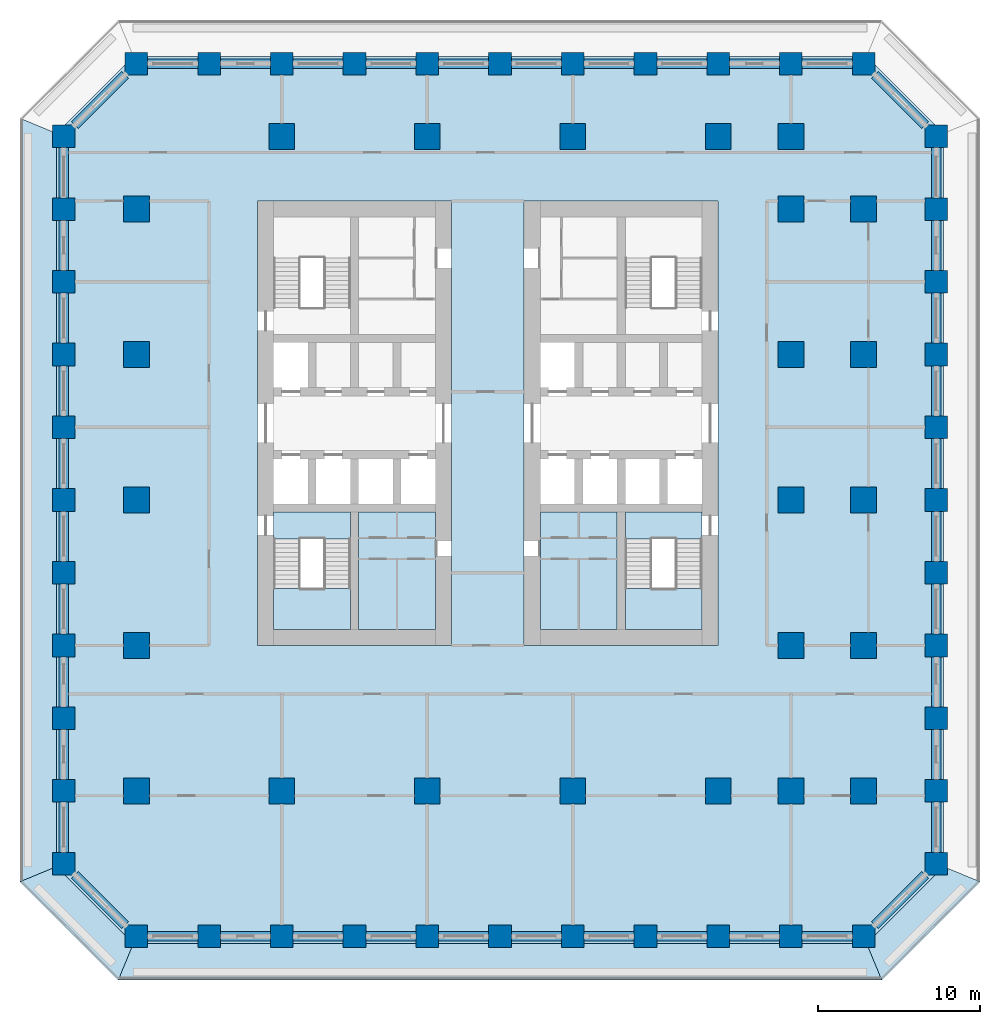
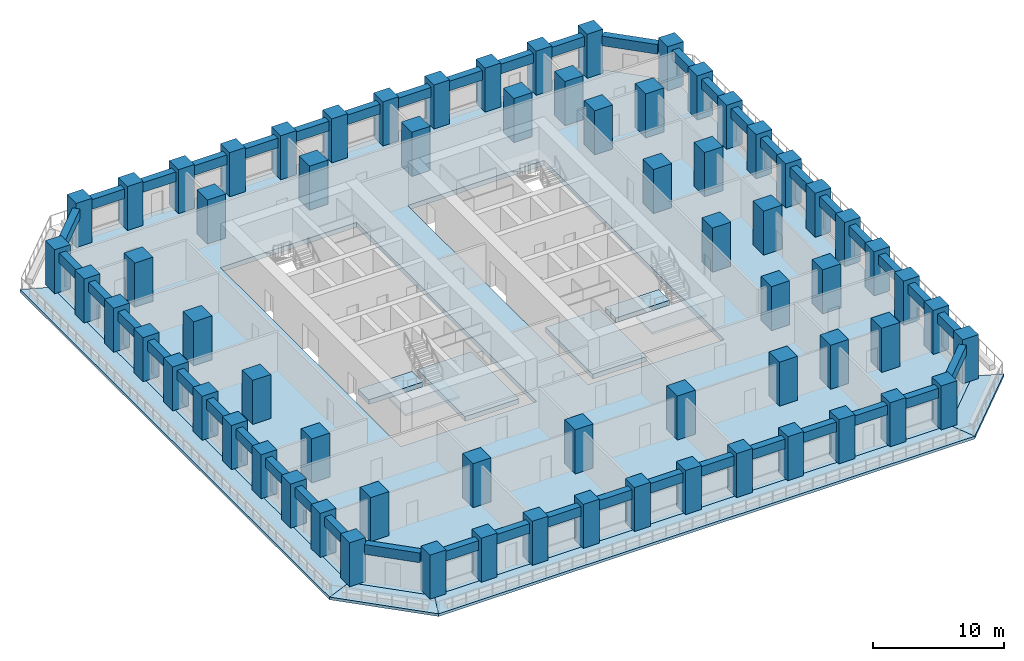
# One storey, part 1 of 11: 68 columns, 44 beams, 11 slabs, 2 elements without a shape of their own.
"""IFC4 building model written with IfcOpenShell, lengths in metres."""

from ifc_helpers import new_model, si_unit, direction, frame, origin, origin_2d, place, context, subcontext, project, spatial, polyline, rectangle, outline, extrude, material, layer, layer_set, material_profile, profile_set, type_object, element, aggregate, save


model = new_model("IFC4")

# Units and contexts
model_context = context("Model", 3, precision=1e-05, world=origin(), true_north=direction((0.0, 1.0)))
body_context = subcontext(model_context, "Body", "Model", "MODEL_VIEW")
ifc_project = project(units=[si_unit("LENGTHUNIT", "METRE"), si_unit("AREAUNIT", "SQUARE_METRE"), si_unit("VOLUMEUNIT", "CUBIC_METRE"), si_unit("PLANEANGLEUNIT", "RADIAN"), si_unit("MASSUNIT", "GRAM", prefix="KILO")], contexts=[model_context])

# Site, building, storey
site_placement = place(None, origin())
site = spatial("IfcSite", under=ifc_project, at=site_placement, CompositionType="ELEMENT")
building_placement = place(site_placement, origin())
building = spatial("IfcBuilding", under=site, at=building_placement, Name="Corbel Stack Research Tower", CompositionType="ELEMENT")
storey_placement = place(building_placement, frame((0.0, 0.0, 62.39990234375)))
storey = spatial("IfcBuildingStorey", under=building, at=storey_placement, Name="L14", CompositionType="ELEMENT", Elevation=62.39990234375)

# Columns
ifc_material_1 = material(Name="Concrete C70/85", Category="concrete")
ifc_material_profile_1 = material_profile(ifc_material_1, rectangle(XDim=1.39990234375, YDim=1.39990234375, at=origin_2d()), Name="RC 1400 x 1400")
ifc_profile_set_1 = profile_set([ifc_material_profile_1], Name="Concrete C70/85")
column_type_1 = type_object("IfcColumnType", Name="C-1400-70", PredefinedType="COLUMN", material=ifc_profile_set_1)
for number, where, z_axis, x_axis, name in (
    (1, (-22.5, -22.5, 0.0), (0.0, 0.0, 1.0), (1.0, 0.0, 0.0), "Column 3/C L14"),
    (2, (-22.5, -18.0, 0.0), (0.0, 0.0, 1.0), (1.0, 0.0, 0.0), "Column 3/D L14"),
    (3, (-22.5, -13.5, 0.0), (0.0, 0.0, 1.0), (1.0, 0.0, 0.0), "Column 3/E L14"),
    (4, (-22.5, -9.0, 0.0), (0.0, 0.0, 1.0), (1.0, 0.0, 0.0), "Column 3/F L14"),
    (5, (-22.5, -4.5, 0.0), (0.0, 0.0, 1.0), (1.0, 0.0, 0.0), "Column 3/G L14"),
    (6, (-22.5, 0.0, 0.0), (0.0, 0.0, 1.0), (1.0, 0.0, 0.0), "Column 3/H L14"),
    (7, (-22.5, 4.5, 0.0), (0.0, 0.0, 1.0), (1.0, 0.0, 0.0), "Column 3/J L14"),
    (8, (-22.5, 9.0, 0.0), (0.0, 0.0, 1.0), (1.0, 0.0, 0.0), "Column 3/K L14"),
    (9, (-22.5, 13.5, 0.0), (0.0, 0.0, 1.0), (1.0, 0.0, 0.0), "Column 3/L L14"),
    (10, (-22.5, 18.0, 0.0), (0.0, 0.0, 1.0), (1.0, 0.0, 0.0), "Column 3/M L14"),
    (11, (-22.5, 22.5, 0.0), (0.0, 0.0, 1.0), (1.0, 0.0, 0.0), "Column 3/N L14"),
    (12, (-18.0, -27.0, 0.0), (0.0, 0.0, 1.0), (1.0, 0.0, 0.0), "Column 4/B L14"),
    (13, (-18.0, 27.0, 0.0), (0.0, 0.0, 1.0), (1.0, 0.0, 0.0), "Column 4/P L14"),
    (14, (-13.5, -27.0, 0.0), (0.0, 0.0, 1.0), (1.0, 0.0, 0.0), "Column 5/B L14"),
    (15, (-13.5, 27.0, 0.0), (0.0, 0.0, 1.0), (1.0, 0.0, 0.0), "Column 5/P L14"),
    (16, (-9.0, -27.0, 0.0), (0.0, 0.0, 1.0), (1.0, 0.0, 0.0), "Column 6/B L14"),
    (17, (-9.0, 27.0, 0.0), (0.0, 0.0, 1.0), (1.0, 0.0, 0.0), "Column 6/P L14"),
    (18, (-4.5, -27.0, 0.0), (0.0, 0.0, 1.0), (1.0, 0.0, 0.0), "Column 7/B L14"),
    (19, (-4.5, 27.0, 0.0), (0.0, 0.0, 1.0), (1.0, 0.0, 0.0), "Column 7/P L14"),
    (20, (0.0, -27.0, 0.0), (0.0, 0.0, 1.0), (1.0, 0.0, 0.0), "Column 8/B L14"),
    (21, (0.0, 27.0, 0.0), (0.0, 0.0, 1.0), (1.0, 0.0, 0.0), "Column 8/P L14"),
    (22, (4.5, -27.0, 0.0), (0.0, 0.0, 1.0), (1.0, 0.0, 0.0), "Column 9/B L14"),
    (23, (4.5, 27.0, 0.0), (0.0, 0.0, 1.0), (1.0, 0.0, 0.0), "Column 9/P L14"),
    (24, (9.0, -27.0, 0.0), (0.0, 0.0, 1.0), (1.0, 0.0, 0.0), "Column 10/B L14"),
    (25, (9.0, 27.0, 0.0), (0.0, 0.0, 1.0), (1.0, 0.0, 0.0), "Column 10/P L14"),
    (26, (13.5, -27.0, 0.0), (0.0, 0.0, 1.0), (1.0, 0.0, 0.0), "Column 11/B L14"),
    (27, (13.5, 27.0, 0.0), (0.0, 0.0, 1.0), (1.0, 0.0, 0.0), "Column 11/P L14"),
    (28, (18.0, -27.0, 0.0), (0.0, 0.0, 1.0), (1.0, 0.0, 0.0), "Column 12/B L14"),
    (29, (18.0, 27.0, 0.0), (0.0, 0.0, 1.0), (1.0, 0.0, 0.0), "Column 12/P L14"),
    (30, (22.5, -27.0, 0.0), (0.0, 0.0, 1.0), (1.0, 0.0, 0.0), "Column 13/B L14"),
    (31, (22.5, 27.0, 0.0), (0.0, 0.0, 1.0), (1.0, 0.0, 0.0), "Column 13/P L14"),
    (32, (27.0, -27.0, 0.0), (0.0, 0.0, 1.0), (1.0, 0.0, 0.0), "Column 14/B L14"),
    (33, (27.0, 27.0, 0.0), (0.0, 0.0, 1.0), (1.0, 0.0, 0.0), "Column 14/P L14"),
    (34, (31.5, -22.5, 0.0), (0.0, 0.0, 1.0), (1.0, 0.0, 0.0), "Column 15/C L14"),
    (35, (31.5, -18.0, 0.0), (0.0, 0.0, 1.0), (1.0, 0.0, 0.0), "Column 15/D L14"),
    (36, (31.5, -13.5, 0.0), (0.0, 0.0, 1.0), (1.0, 0.0, 0.0), "Column 15/E L14"),
    (37, (31.5, -9.0, 0.0), (0.0, 0.0, 1.0), (1.0, 0.0, 0.0), "Column 15/F L14"),
    (38, (31.5, -4.5, 0.0), (0.0, 0.0, 1.0), (1.0, 0.0, 0.0), "Column 15/G L14"),
    (39, (31.5, 0.0, 0.0), (0.0, 0.0, 1.0), (1.0, 0.0, 0.0), "Column 15/H L14"),
    (40, (31.5, 4.5, 0.0), (0.0, 0.0, 1.0), (1.0, 0.0, 0.0), "Column 15/J L14"),
    (41, (31.5, 9.0, 0.0), (0.0, 0.0, 1.0), (1.0, 0.0, 0.0), "Column 15/K L14"),
    (42, (31.5, 13.5, 0.0), (0.0, 0.0, 1.0), (1.0, 0.0, 0.0), "Column 15/L L14"),
    (43, (31.5, 18.0, 0.0), (0.0, 0.0, 1.0), (1.0, 0.0, 0.0), "Column 15/M L14"),
    (44, (31.5, 22.5, 0.0), (0.0, 0.0, 1.0), (1.0, 0.0, 0.0), "Column 15/N L14"),
):
    element("IfcColumn", number, at=place(storey_placement, frame(where, z_axis=z_axis, x_axis=x_axis)), inside=storey, type_object=column_type_1, Name=name, PredefinedType="COLUMN", context=body_context, shape_type="SweptSolid", body=[
        extrude(rectangle(XDim=1.39990234375, YDim=1.39990234375, at=origin_2d()), origin(), (0.0, 0.0, 1.0), 4.10009765625),
    ])
ifc_material_2 = material(Name="Concrete C70/85", Category="concrete")
ifc_material_profile_2 = material_profile(ifc_material_2, rectangle(XDim=1.60009765625, YDim=1.60009765625, at=origin_2d()), Name="RC 1600 x 1600")
ifc_profile_set_2 = profile_set([ifc_material_profile_2], Name="Concrete C70/85")
column_type_2 = type_object("IfcColumnType", Name="C-1600-70", PredefinedType="COLUMN", material=ifc_profile_set_2)
for number, where, z_axis, x_axis, name in (
    (45, (-18.0, -18.0, 0.0), (0.0, 0.0, 1.0), (1.0, 0.0, 0.0), "Column 4/D L14"),
    (46, (-18.0, -9.0, 0.0), (0.0, 0.0, 1.0), (1.0, 0.0, 0.0), "Column 4/F L14"),
    (47, (-18.0, 0.0, 0.0), (0.0, 0.0, 1.0), (1.0, 0.0, 0.0), "Column 4/H L14"),
    (48, (-18.0, 9.0, 0.0), (0.0, 0.0, 1.0), (1.0, 0.0, 0.0), "Column 4/K L14"),
    (49, (-18.0, 18.0, 0.0), (0.0, 0.0, 1.0), (1.0, 0.0, 0.0), "Column 4/M L14"),
    (50, (-9.0, -18.0, 0.0), (0.0, 0.0, 1.0), (1.0, 0.0, 0.0), "Column 6/D L14"),
    (51, (-9.0, 22.5, 0.0), (0.0, 0.0, 1.0), (1.0, 0.0, 0.0), "Column 6/N L14"),
    (52, (0.0, -18.0, 0.0), (0.0, 0.0, 1.0), (1.0, 0.0, 0.0), "Column 8/D L14"),
    (53, (0.0, 22.5, 0.0), (0.0, 0.0, 1.0), (1.0, 0.0, 0.0), "Column 8/N L14"),
    (54, (9.0, -18.0, 0.0), (0.0, 0.0, 1.0), (1.0, 0.0, 0.0), "Column 10/D L14"),
    (55, (9.0, 22.5, 0.0), (0.0, 0.0, 1.0), (1.0, 0.0, 0.0), "Column 10/N L14"),
    (56, (18.0, -18.0, 0.0), (0.0, 0.0, 1.0), (1.0, 0.0, 0.0), "Column 12/D L14"),
    (57, (18.0, 22.5, 0.0), (0.0, 0.0, 1.0), (1.0, 0.0, 0.0), "Column 12/N L14"),
    (58, (22.5, -18.0, 0.0), (0.0, 0.0, 1.0), (1.0, 0.0, 0.0), "Column 13/D L14"),
    (59, (22.5, -9.0, 0.0), (0.0, 0.0, 1.0), (1.0, 0.0, 0.0), "Column 13/F L14"),
    (60, (22.5, 0.0, 0.0), (0.0, 0.0, 1.0), (1.0, 0.0, 0.0), "Column 13/H L14"),
    (61, (22.5, 9.0, 0.0), (0.0, 0.0, 1.0), (1.0, 0.0, 0.0), "Column 13/K L14"),
    (62, (22.5, 18.0, 0.0), (0.0, 0.0, 1.0), (1.0, 0.0, 0.0), "Column 13/M L14"),
    (63, (22.5, 22.5, 0.0), (0.0, 0.0, 1.0), (1.0, 0.0, 0.0), "Column 13/N L14"),
    (64, (27.0, -18.0, 0.0), (0.0, 0.0, 1.0), (1.0, 0.0, 0.0), "Column 14/D L14"),
    (65, (27.0, -9.0, 0.0), (0.0, 0.0, 1.0), (1.0, 0.0, 0.0), "Column 14/F L14"),
    (66, (27.0, 0.0, 0.0), (0.0, 0.0, 1.0), (1.0, 0.0, 0.0), "Column 14/H L14"),
    (67, (27.0, 9.0, 0.0), (0.0, 0.0, 1.0), (1.0, 0.0, 0.0), "Column 14/K L14"),
    (68, (27.0, 18.0, 0.0), (0.0, 0.0, 1.0), (1.0, 0.0, 0.0), "Column 14/M L14"),
):
    element("IfcColumn", number, at=place(storey_placement, frame(where, z_axis=z_axis, x_axis=x_axis)), inside=storey, type_object=column_type_2, Name=name, PredefinedType="COLUMN", context=body_context, shape_type="SweptSolid", body=[
        extrude(rectangle(XDim=1.60009765625, YDim=1.60009765625, at=origin_2d()), origin(), (0.0, 0.0, 1.0), 4.10009765625),
    ])

# Beams
ifc_material_3 = material(Name="Concrete C60/75", Category="concrete")
ifc_material_profile_3 = material_profile(ifc_material_3, rectangle(XDim=0.60009765625, YDim=0.89990234375, at=origin_2d()), Name="RC 600 x 900")
ifc_profile_set_3 = profile_set([ifc_material_profile_3], Name="Concrete C60/75")
beam_type = type_object("IfcBeamType", Name="SB-600-900-450", PredefinedType="SPANDREL", material=ifc_profile_set_3)
for number, where, z_axis, x_axis, name in (
    (69, (-17.300048828125, -27.0, 3.2001953125), (1.0, 0.0, 0.0), (0.0, 1.0, 0.0), "Spandrel beam L14-01"),
    (70, (-12.800048828125, -27.0, 3.2001953125), (1.0, 0.0, 0.0), (0.0, 1.0, 0.0), "Spandrel beam L14-02"),
    (71, (-8.300048828125, -27.0, 3.2001953125), (1.0, 0.0, 0.0), (0.0, 1.0, 0.0), "Spandrel beam L14-03"),
    (72, (-3.800048828125, -27.0, 3.2001953125), (1.0, 0.0, 0.0), (0.0, 1.0, 0.0), "Spandrel beam L14-04"),
    (73, (0.699951171875, -27.0, 3.2001953125), (1.0, 0.0, 0.0), (0.0, 1.0, 0.0), "Spandrel beam L14-05"),
    (74, (5.199951171875, -27.0, 3.2001953125), (1.0, 0.0, 0.0), (0.0, 1.0, 0.0), "Spandrel beam L14-06"),
    (75, (9.699951171875, -27.0, 3.2001953125), (1.0, 0.0, 0.0), (0.0, 1.0, 0.0), "Spandrel beam L14-07"),
    (76, (14.199951171875, -27.0, 3.2001953125), (1.0, 0.0, 0.0), (0.0, 1.0, 0.0), "Spandrel beam L14-08"),
    (77, (18.699951171875, -27.0, 3.2001953125), (1.0, 0.0, 0.0), (0.0, 1.0, 0.0), "Spandrel beam L14-09"),
    (78, (23.199951171875, -27.0, 3.2001953125), (1.0, 0.0, 0.0), (0.0, 1.0, 0.0), "Spandrel beam L14-10"),
):
    element("IfcBeam", number, at=place(storey_placement, frame(where, z_axis=z_axis, x_axis=x_axis)), inside=storey, type_object=beam_type, Name=name, PredefinedType="SPANDREL", context=body_context, shape_type="SweptSolid", body=[
        extrude(rectangle(XDim=0.60009765625, YDim=0.89990234375, at=origin_2d()), origin(), (0.0, 0.0, 1.0), 3.10009765625),
    ])
beam_1_placement = place(storey_placement, frame((27.699951171875, -26.300048828125, 3.2001953125), z_axis=(0.707106781187, 0.707106781187, 0.0), x_axis=(-0.707106781187, 0.707106781187, 0.0)))
element("IfcBeam", 79, at=beam_1_placement, inside=storey, type_object=beam_type, Name="Spandrel beam L14-11", PredefinedType="SPANDREL", context=body_context, shape_type="SweptSolid", body=[
    extrude(rectangle(XDim=0.60009765625, YDim=0.89990234375, at=origin_2d()), origin(), (0.0, 0.0, 1.0), 4.38427734375),
])
for number, where, z_axis, x_axis, name in (
    (80, (31.5, -21.800048828125, 3.2001953125), (0.0, 1.0, 0.0), (-1.0, 0.0, 0.0), "Spandrel beam L14-12"),
    (81, (31.5, -17.300048828125, 3.2001953125), (0.0, 1.0, 0.0), (-1.0, 0.0, 0.0), "Spandrel beam L14-13"),
    (82, (31.5, -12.800048828125, 3.2001953125), (0.0, 1.0, 0.0), (-1.0, 0.0, 0.0), "Spandrel beam L14-14"),
    (83, (31.5, -8.300048828125, 3.2001953125), (0.0, 1.0, 0.0), (-1.0, 0.0, 0.0), "Spandrel beam L14-15"),
    (84, (31.5, -3.800048828125, 3.2001953125), (0.0, 1.0, 0.0), (-1.0, 0.0, 0.0), "Spandrel beam L14-16"),
    (85, (31.5, 0.699951171875, 3.2001953125), (0.0, 1.0, 0.0), (-1.0, 0.0, 0.0), "Spandrel beam L14-17"),
    (86, (31.5, 5.199951171875, 3.2001953125), (0.0, 1.0, 0.0), (-1.0, 0.0, 0.0), "Spandrel beam L14-18"),
    (87, (31.5, 9.699951171875, 3.2001953125), (0.0, 1.0, 0.0), (-1.0, 0.0, 0.0), "Spandrel beam L14-19"),
    (88, (31.5, 14.199951171875, 3.2001953125), (0.0, 1.0, 0.0), (-1.0, 0.0, 0.0), "Spandrel beam L14-20"),
    (89, (31.5, 18.699951171875, 3.2001953125), (0.0, 1.0, 0.0), (-1.0, 0.0, 0.0), "Spandrel beam L14-21"),
):
    element("IfcBeam", number, at=place(storey_placement, frame(where, z_axis=z_axis, x_axis=x_axis)), inside=storey, type_object=beam_type, Name=name, PredefinedType="SPANDREL", context=body_context, shape_type="SweptSolid", body=[
        extrude(rectangle(XDim=0.60009765625, YDim=0.89990234375, at=origin_2d()), origin(), (0.0, 0.0, 1.0), 3.10009765625),
    ])
beam_2_placement = place(storey_placement, frame((30.800048828125, 23.199951171875, 3.2001953125), z_axis=(-0.707106781187, 0.707106781187, 0.0), x_axis=(-0.707106781187, -0.707106781187, 0.0)))
element("IfcBeam", 90, at=beam_2_placement, inside=storey, type_object=beam_type, Name="Spandrel beam L14-22", PredefinedType="SPANDREL", context=body_context, shape_type="SweptSolid", body=[
    extrude(rectangle(XDim=0.60009765625, YDim=0.89990234375, at=origin_2d()), origin(), (0.0, 0.0, 1.0), 4.38427734375),
])
for number, where, z_axis, x_axis, name in (
    (91, (26.300048828125, 27.0, 3.2001953125), (-1.0, 0.0, 0.0), (0.0, -1.0, 0.0), "Spandrel beam L14-23"),
    (92, (21.800048828125, 27.0, 3.2001953125), (-1.0, 0.0, 0.0), (0.0, -1.0, 0.0), "Spandrel beam L14-24"),
    (93, (17.300048828125, 27.0, 3.2001953125), (-1.0, 0.0, 0.0), (0.0, -1.0, 0.0), "Spandrel beam L14-25"),
    (94, (12.800048828125, 27.0, 3.2001953125), (-1.0, 0.0, 0.0), (0.0, -1.0, 0.0), "Spandrel beam L14-26"),
    (95, (8.300048828125, 27.0, 3.2001953125), (-1.0, 0.0, 0.0), (0.0, -1.0, 0.0), "Spandrel beam L14-27"),
    (96, (3.800048828125, 27.0, 3.2001953125), (-1.0, 0.0, 0.0), (0.0, -1.0, 0.0), "Spandrel beam L14-28"),
    (97, (-0.699951171875, 27.0, 3.2001953125), (-1.0, 0.0, 0.0), (0.0, -1.0, 0.0), "Spandrel beam L14-29"),
    (98, (-5.199951171875, 27.0, 3.2001953125), (-1.0, 0.0, 0.0), (0.0, -1.0, 0.0), "Spandrel beam L14-30"),
    (99, (-9.699951171875, 27.0, 3.2001953125), (-1.0, 0.0, 0.0), (0.0, -1.0, 0.0), "Spandrel beam L14-31"),
    (100, (-14.199951171875, 27.0, 3.2001953125), (-1.0, 0.0, 0.0), (0.0, -1.0, 0.0), "Spandrel beam L14-32"),
):
    element("IfcBeam", number, at=place(storey_placement, frame(where, z_axis=z_axis, x_axis=x_axis)), inside=storey, type_object=beam_type, Name=name, PredefinedType="SPANDREL", context=body_context, shape_type="SweptSolid", body=[
        extrude(rectangle(XDim=0.60009765625, YDim=0.89990234375, at=origin_2d()), origin(), (0.0, 0.0, 1.0), 3.10009765625),
    ])
beam_3_placement = place(storey_placement, frame((-18.699951171875, 26.300048828125, 3.2001953125), z_axis=(-0.707106781187, -0.707106781187, 0.0), x_axis=(0.707106781187, -0.707106781187, 0.0)))
element("IfcBeam", 101, at=beam_3_placement, inside=storey, type_object=beam_type, Name="Spandrel beam L14-33", PredefinedType="SPANDREL", context=body_context, shape_type="SweptSolid", body=[
    extrude(rectangle(XDim=0.60009765625, YDim=0.89990234375, at=origin_2d()), origin(), (0.0, 0.0, 1.0), 4.38427734375),
])
for number, where, z_axis, x_axis, name in (
    (102, (-22.5, 21.800048828125, 3.2001953125), (0.0, -1.0, 0.0), (1.0, 0.0, 0.0), "Spandrel beam L14-34"),
    (103, (-22.5, 17.300048828125, 3.2001953125), (0.0, -1.0, 0.0), (1.0, 0.0, 0.0), "Spandrel beam L14-35"),
    (104, (-22.5, 12.800048828125, 3.2001953125), (0.0, -1.0, 0.0), (1.0, 0.0, 0.0), "Spandrel beam L14-36"),
    (105, (-22.5, 8.300048828125, 3.2001953125), (0.0, -1.0, 0.0), (1.0, 0.0, 0.0), "Spandrel beam L14-37"),
    (106, (-22.5, 3.800048828125, 3.2001953125), (0.0, -1.0, 0.0), (1.0, 0.0, 0.0), "Spandrel beam L14-38"),
    (107, (-22.5, -0.699951171875, 3.2001953125), (0.0, -1.0, 0.0), (1.0, 0.0, 0.0), "Spandrel beam L14-39"),
    (108, (-22.5, -5.199951171875, 3.2001953125), (0.0, -1.0, 0.0), (1.0, 0.0, 0.0), "Spandrel beam L14-40"),
    (109, (-22.5, -9.699951171875, 3.2001953125), (0.0, -1.0, 0.0), (1.0, 0.0, 0.0), "Spandrel beam L14-41"),
    (110, (-22.5, -14.199951171875, 3.2001953125), (0.0, -1.0, 0.0), (1.0, 0.0, 0.0), "Spandrel beam L14-42"),
    (111, (-22.5, -18.699951171875, 3.2001953125), (0.0, -1.0, 0.0), (1.0, 0.0, 0.0), "Spandrel beam L14-43"),
):
    element("IfcBeam", number, at=place(storey_placement, frame(where, z_axis=z_axis, x_axis=x_axis)), inside=storey, type_object=beam_type, Name=name, PredefinedType="SPANDREL", context=body_context, shape_type="SweptSolid", body=[
        extrude(rectangle(XDim=0.60009765625, YDim=0.89990234375, at=origin_2d()), origin(), (0.0, 0.0, 1.0), 3.10009765625),
    ])
beam_4_placement = place(storey_placement, frame((-21.800048828125, -23.199951171875, 3.2001953125), z_axis=(0.707106781187, -0.707106781187, 0.0), x_axis=(0.707106781187, 0.707106781187, 0.0)))
element("IfcBeam", 112, at=beam_4_placement, inside=storey, type_object=beam_type, Name="Spandrel beam L14-44", PredefinedType="SPANDREL", context=body_context, shape_type="SweptSolid", body=[
    extrude(rectangle(XDim=0.60009765625, YDim=0.89990234375, at=origin_2d()), origin(), (0.0, 0.0, 1.0), 4.38427734375),
])

# Slabs
ifc_material_4 = material(Name="Concrete C45/55", Category="concrete")
ifc_layer_1 = layer(ifc_material_4, 0.25)
ifc_layer_set_1 = layer_set([ifc_layer_1], Name="Concrete C45/55")
slab_type_1 = type_object("IfcSlabType", Name="PT balcony slab 250 C45/55", PredefinedType="FLOOR", material=ifc_layer_set_1)
slab_1_placement = place(storey_placement, frame((0.0, 0.0, -0.25)))
element("IfcSlab", 113, at=slab_1_placement, inside=storey, type_object=slab_type_1, Name="Loggia slab L14 S", PredefinedType="FLOOR", context=body_context, shape_type="SweptSolid", body=[
    extrude(outline(polyline([(27.289794921875, -27.699951171875), (26.300048828125, -27.699951171875), (26.300048828125, -27.449951171875), (23.199951171875, -27.449951171875), (23.199951171875, -27.699951171875), (21.800048828125, -27.699951171875), (21.800048828125, -27.449951171875), (18.699951171875, -27.449951171875), (18.699951171875, -27.699951171875), (17.300048828125, -27.699951171875), (17.300048828125, -27.449951171875), (14.199951171875, -27.449951171875), (14.199951171875, -27.699951171875), (12.800048828125, -27.699951171875), (12.800048828125, -27.449951171875), (9.699951171875, -27.449951171875), (9.699951171875, -27.699951171875), (8.300048828125, -27.699951171875), (8.300048828125, -27.449951171875), (5.199951171875, -27.449951171875), (5.199951171875, -27.699951171875), (3.800048828125, -27.699951171875), (3.800048828125, -27.449951171875), (0.699951171875, -27.449951171875), (0.699951171875, -27.699951171875), (-0.699951171875, -27.699951171875), (-0.699951171875, -27.449951171875), (-3.800048828125, -27.449951171875), (-3.800048828125, -27.699951171875), (-5.199951171875, -27.699951171875), (-5.199951171875, -27.449951171875), (-8.300048828125, -27.449951171875), (-8.300048828125, -27.699951171875), (-9.699951171875, -27.699951171875), (-9.699951171875, -27.449951171875), (-12.800048828125, -27.449951171875), (-12.800048828125, -27.699951171875), (-14.199951171875, -27.699951171875), (-14.199951171875, -27.449951171875), (-17.300048828125, -27.449951171875), (-17.300048828125, -27.699951171875), (-18.289794921875, -27.699951171875), (-19.118408203125, -29.699951171875), (28.118408203125, -29.699951171875), (27.289794921875, -27.699951171875)])), origin(), (0.0, 0.0, 1.0), 0.25),
])
slab_2_placement = place(storey_placement, frame((0.0, 0.0, -0.25)))
element("IfcSlab", 114, at=slab_2_placement, inside=storey, type_object=slab_type_1, Name="Loggia slab L14 SE", PredefinedType="FLOOR", context=body_context, shape_type="SweptSolid", body=[
    extrude(outline(polyline([(32.199951171875, -22.789794921875), (32.199951171875, -23.199951171875), (31.436279296875, -23.199951171875), (27.699951171875, -26.936279296875), (27.699951171875, -27.699951171875), (27.289794921875, -27.699951171875), (28.118408203125, -29.699951171875), (34.199951171875, -23.618408203125), (32.199951171875, -22.789794921875)])), origin(), (0.0, 0.0, 1.0), 0.25),
])
slab_3_placement = place(storey_placement, frame((0.0, 0.0, -0.25)))
element("IfcSlab", 115, at=slab_3_placement, inside=storey, type_object=slab_type_1, Name="Loggia slab L14 W", PredefinedType="FLOOR", context=body_context, shape_type="SweptSolid", body=[
    extrude(outline(polyline([(-23.199951171875, -22.789794921875), (-23.199951171875, -21.800048828125), (-22.949951171875, -21.800048828125), (-22.949951171875, -18.699951171875), (-23.199951171875, -18.699951171875), (-23.199951171875, -17.300048828125), (-22.949951171875, -17.300048828125), (-22.949951171875, -14.199951171875), (-23.199951171875, -14.199951171875), (-23.199951171875, -12.800048828125), (-22.949951171875, -12.800048828125), (-22.949951171875, -9.699951171875), (-23.199951171875, -9.699951171875), (-23.199951171875, -8.300048828125), (-22.949951171875, -8.300048828125), (-22.949951171875, -5.199951171875), (-23.199951171875, -5.199951171875), (-23.199951171875, -3.800048828125), (-22.949951171875, -3.800048828125), (-22.949951171875, -0.699951171875), (-23.199951171875, -0.699951171875), (-23.199951171875, 0.699951171875), (-22.949951171875, 0.699951171875), (-22.949951171875, 3.800048828125), (-23.199951171875, 3.800048828125), (-23.199951171875, 5.199951171875), (-22.949951171875, 5.199951171875), (-22.949951171875, 8.300048828125), (-23.199951171875, 8.300048828125), (-23.199951171875, 9.699951171875), (-22.949951171875, 9.699951171875), (-22.949951171875, 12.800048828125), (-23.199951171875, 12.800048828125), (-23.199951171875, 14.199951171875), (-22.949951171875, 14.199951171875), (-22.949951171875, 17.300048828125), (-23.199951171875, 17.300048828125), (-23.199951171875, 18.699951171875), (-22.949951171875, 18.699951171875), (-22.949951171875, 21.800048828125), (-23.199951171875, 21.800048828125), (-23.199951171875, 22.789794921875), (-25.199951171875, 23.618408203125), (-25.199951171875, -23.618408203125), (-23.199951171875, -22.789794921875)])), origin(), (0.0, 0.0, 1.0), 0.25),
])
slab_4_placement = place(storey_placement, frame((0.0, 0.0, -0.25)))
element("IfcSlab", 116, at=slab_4_placement, inside=storey, type_object=slab_type_1, Name="Loggia slab L14 SW", PredefinedType="FLOOR", context=body_context, shape_type="SweptSolid", body=[
    extrude(outline(polyline([(-18.289794921875, -27.699951171875), (-18.699951171875, -27.699951171875), (-18.699951171875, -26.936279296875), (-22.436279296875, -23.199951171875), (-23.199951171875, -23.199951171875), (-23.199951171875, -22.789794921875), (-25.199951171875, -23.618408203125), (-19.118408203125, -29.699951171875), (-18.289794921875, -27.699951171875)])), origin(), (0.0, 0.0, 1.0), 0.25),
])
ifc_material_5 = material(Name="Concrete C45/55", Category="concrete")
ifc_layer_2 = layer(ifc_material_5, 0.449951171875)
ifc_layer_set_2 = layer_set([ifc_layer_2], Name="Concrete C45/55")
slab_type_2 = type_object("IfcSlabType", Name="PT-450", PredefinedType="FLOOR", material=ifc_layer_set_2)
slab_5_placement = place(storey_placement, frame((0.0, 0.0, -0.449951171875)))
element("IfcSlab", 117, at=slab_5_placement, inside=storey, type_object=slab_type_2, Name="Floor slab L14", PredefinedType="FLOOR", context=body_context, shape_type="SweptSolid", body=[
    extrude(outline(polyline([(-18.186279296875, -27.449951171875), (27.186279296875, -27.449951171875), (31.949951171875, -22.686279296875), (31.949951171875, 22.686279296875), (27.186279296875, 27.449951171875), (-18.186279296875, 27.449951171875), (-22.949951171875, 22.686279296875), (-22.949951171875, -22.686279296875), (-18.186279296875, -27.449951171875)]), holes=[polyline([(26.199951171875, 17.199951171875), (26.199951171875, 18.800048828125), (27.800048828125, 18.800048828125), (27.800048828125, 17.199951171875), (26.199951171875, 17.199951171875)]), polyline([(26.199951171875, 8.199951171875), (26.199951171875, 9.800048828125), (27.800048828125, 9.800048828125), (27.800048828125, 8.199951171875), (26.199951171875, 8.199951171875)]), polyline([(27.800048828125, -0.800048828125), (26.199951171875, -0.800048828125), (26.199951171875, 0.800048828125), (27.800048828125, 0.800048828125), (27.800048828125, -0.800048828125)]), polyline([(26.199951171875, -9.800048828125), (26.199951171875, -8.199951171875), (27.800048828125, -8.199951171875), (27.800048828125, -9.800048828125), (26.199951171875, -9.800048828125)]), polyline([(26.199951171875, -18.800048828125), (26.199951171875, -17.199951171875), (27.800048828125, -17.199951171875), (27.800048828125, -18.800048828125), (26.199951171875, -18.800048828125)]), polyline([(21.699951171875, 21.699951171875), (21.699951171875, 23.300048828125), (23.300048828125, 23.300048828125), (23.300048828125, 21.699951171875), (21.699951171875, 21.699951171875)]), polyline([(21.699951171875, 17.199951171875), (21.699951171875, 18.800048828125), (23.300048828125, 18.800048828125), (23.300048828125, 17.199951171875), (21.699951171875, 17.199951171875)]), polyline([(21.699951171875, 8.199951171875), (21.699951171875, 9.800048828125), (23.300048828125, 9.800048828125), (23.300048828125, 8.199951171875), (21.699951171875, 8.199951171875)]), polyline([(21.699951171875, -0.800048828125), (21.699951171875, 0.800048828125), (23.300048828125, 0.800048828125), (23.300048828125, -0.800048828125), (21.699951171875, -0.800048828125)]), polyline([(23.300048828125, -9.800048828125), (21.699951171875, -9.800048828125), (21.699951171875, -8.199951171875), (23.300048828125, -8.199951171875), (23.300048828125, -9.800048828125)]), polyline([(21.699951171875, -18.800048828125), (21.699951171875, -17.199951171875), (23.300048828125, -17.199951171875), (23.300048828125, -18.800048828125), (21.699951171875, -18.800048828125)]), polyline([(17.199951171875, 21.699951171875), (17.199951171875, 23.300048828125), (18.800048828125, 23.300048828125), (18.800048828125, 21.699951171875), (17.199951171875, 21.699951171875)]), polyline([(18.800048828125, -18.800048828125), (17.199951171875, -18.800048828125), (17.199951171875, -17.199951171875), (18.800048828125, -17.199951171875), (18.800048828125, -18.800048828125)]), polyline([(6.0, -9.0), (6.0, 18.5), (18.0, 18.5), (18.0, -9.0), (6.0, -9.0)]), polyline([(8.199951171875, 21.699951171875), (8.199951171875, 23.300048828125), (9.800048828125, 23.300048828125), (9.800048828125, 21.699951171875), (8.199951171875, 21.699951171875)]), polyline([(9.800048828125, -18.800048828125), (8.199951171875, -18.800048828125), (8.199951171875, -17.199951171875), (9.800048828125, -17.199951171875), (9.800048828125, -18.800048828125)]), polyline([(1.5, -9.0), (-10.5, -9.0), (-10.5, 18.5), (1.5, 18.5), (1.5, -9.0)]), polyline([(-0.800048828125, 21.699951171875), (-0.800048828125, 23.300048828125), (0.800048828125, 23.300048828125), (0.800048828125, 21.699951171875), (-0.800048828125, 21.699951171875)]), polyline([(-0.800048828125, -18.800048828125), (-0.800048828125, -17.199951171875), (0.800048828125, -17.199951171875), (0.800048828125, -18.800048828125), (-0.800048828125, -18.800048828125)]), polyline([(-9.800048828125, 21.699951171875), (-9.800048828125, 23.300048828125), (-8.199951171875, 23.300048828125), (-8.199951171875, 21.699951171875), (-9.800048828125, 21.699951171875)]), polyline([(-9.800048828125, -18.800048828125), (-9.800048828125, -17.199951171875), (-8.199951171875, -17.199951171875), (-8.199951171875, -18.800048828125), (-9.800048828125, -18.800048828125)]), polyline([(-18.800048828125, 17.199951171875), (-18.800048828125, 18.800048828125), (-17.199951171875, 18.800048828125), (-17.199951171875, 17.199951171875), (-18.800048828125, 17.199951171875)]), polyline([(-18.800048828125, 8.199951171875), (-18.800048828125, 9.800048828125), (-17.199951171875, 9.800048828125), (-17.199951171875, 8.199951171875), (-18.800048828125, 8.199951171875)]), polyline([(-18.800048828125, -0.800048828125), (-18.800048828125, 0.800048828125), (-17.199951171875, 0.800048828125), (-17.199951171875, -0.800048828125), (-18.800048828125, -0.800048828125)]), polyline([(-18.800048828125, -9.800048828125), (-18.800048828125, -8.199951171875), (-17.199951171875, -8.199951171875), (-17.199951171875, -9.800048828125), (-18.800048828125, -9.800048828125)]), polyline([(-17.199951171875, -18.800048828125), (-18.800048828125, -18.800048828125), (-18.800048828125, -17.199951171875), (-17.199951171875, -17.199951171875), (-17.199951171875, -18.800048828125)])]), origin(), (0.0, 0.0, 1.0), 0.449951171875),
])
slab_6_placement = place(storey_placement, frame((0.0, 0.0, -0.449951171875)))
element("IfcSlab", 118, at=slab_6_placement, inside=storey, type_object=slab_type_2, Name="West core floor L14", PredefinedType="FLOOR", context=body_context, shape_type="SweptSolid", body=[
    extrude(outline(polyline([(-4.25, -0.75), (-4.25, -8.0), (0.5, -8.0), (0.5, -0.75), (-4.25, -0.75)])), origin(), (0.0, 0.0, 1.0), 0.449951171875),
])
slab_7_placement = place(storey_placement, frame((0.0, 0.0, -0.449951171875)))
element("IfcSlab", 119, at=slab_7_placement, inside=storey, type_object=slab_type_2, Name="East core floor L14", PredefinedType="FLOOR", context=body_context, shape_type="SweptSolid", body=[
    extrude(outline(polyline([(7.0, -0.75), (7.0, -8.0), (11.75, -8.0), (11.75, -0.75), (7.0, -0.75)])), origin(), (0.0, 0.0, 1.0), 0.449951171875),
])
slab_8_placement = place(storey_placement, frame((0.0, 0.0, -0.449951171875)))
element("IfcSlab", 120, at=slab_8_placement, inside=storey, type_object=slab_type_2, Name="Stair floor landing ST-W1", PredefinedType="FLOOR", context=body_context, shape_type="SweptSolid", body=[
    extrude(outline(polyline([(-9.5, -2.39990234375), (-4.75, -2.39990234375), (-4.75, -0.75), (-9.5, -0.75), (-9.5, -2.39990234375)])), origin(), (0.0, 0.0, 1.0), 0.449951171875),
])
slab_9_placement = place(storey_placement, frame((0.0, 0.0, -0.449951171875)))
element("IfcSlab", 121, at=slab_9_placement, inside=storey, type_object=slab_type_2, Name="Stair floor landing ST-E1", PredefinedType="FLOOR", context=body_context, shape_type="SweptSolid", body=[
    extrude(outline(polyline([(12.25, -2.39990234375), (17.0, -2.39990234375), (17.0, -0.75), (12.25, -0.75), (12.25, -2.39990234375)])), origin(), (0.0, 0.0, 1.0), 0.449951171875),
])

# Stair, slab
ifc_material_6 = material(Name="Concrete C40/50", Category="concrete")
stair_type = type_object("IfcStairType", Name="Exit stair 24 risers", PredefinedType="HALF_TURN_STAIR", material=ifc_material_6)
stair_1_placement = place(storey_placement, origin())
stair_1 = element("IfcStair", 122, at=stair_1_placement, inside=storey, type_object=stair_type, Name="L14 Exit stair ST-W1", PredefinedType="HALF_TURN_STAIR")
ifc_material_7 = material(Name="Concrete C40/50", Category="concrete")
ifc_layer_3 = layer(ifc_material_7, 0.199951171875)
ifc_layer_set_3 = layer_set([ifc_layer_3], Name="Concrete C40/50")
slab_type_3 = type_object("IfcSlabType", Name="Stair landing 200 C40/50", PredefinedType="LANDING", material=ifc_layer_set_3)
slab_10_placement = place(storey_placement, frame((0.0, 0.0, 1.85009765625)))
slab_10 = element("IfcSlab", 123, at=slab_10_placement, type_object=slab_type_3, Name="ST-W1 landing 1", PredefinedType="LANDING", context=body_context, shape_type="SweptSolid", body=[
    extrude(outline(polyline([(-9.5, -8.0), (-9.5, -5.47998046875), (-4.75, -5.47998046875), (-4.75, -8.0), (-9.5, -8.0)])), origin(), (0.0, 0.0, 1.0), 0.199951171875),
])
aggregate(stair_1, [slab_10])

stair_2_placement = place(storey_placement, origin())
stair_2 = element("IfcStair", 124, at=stair_2_placement, inside=storey, type_object=stair_type, Name="L14 Exit stair ST-E1", PredefinedType="HALF_TURN_STAIR")
slab_11_placement = place(storey_placement, frame((0.0, 0.0, 1.85009765625)))
slab_11 = element("IfcSlab", 125, at=slab_11_placement, type_object=slab_type_3, Name="ST-E1 landing 1", PredefinedType="LANDING", context=body_context, shape_type="SweptSolid", body=[
    extrude(outline(polyline([(12.25, -8.0), (12.25, -5.47998046875), (17.0, -5.47998046875), (17.0, -8.0), (12.25, -8.0)])), origin(), (0.0, 0.0, 1.0), 0.199951171875),
])
aggregate(stair_2, [slab_11])

save(model, "model.ifc")
